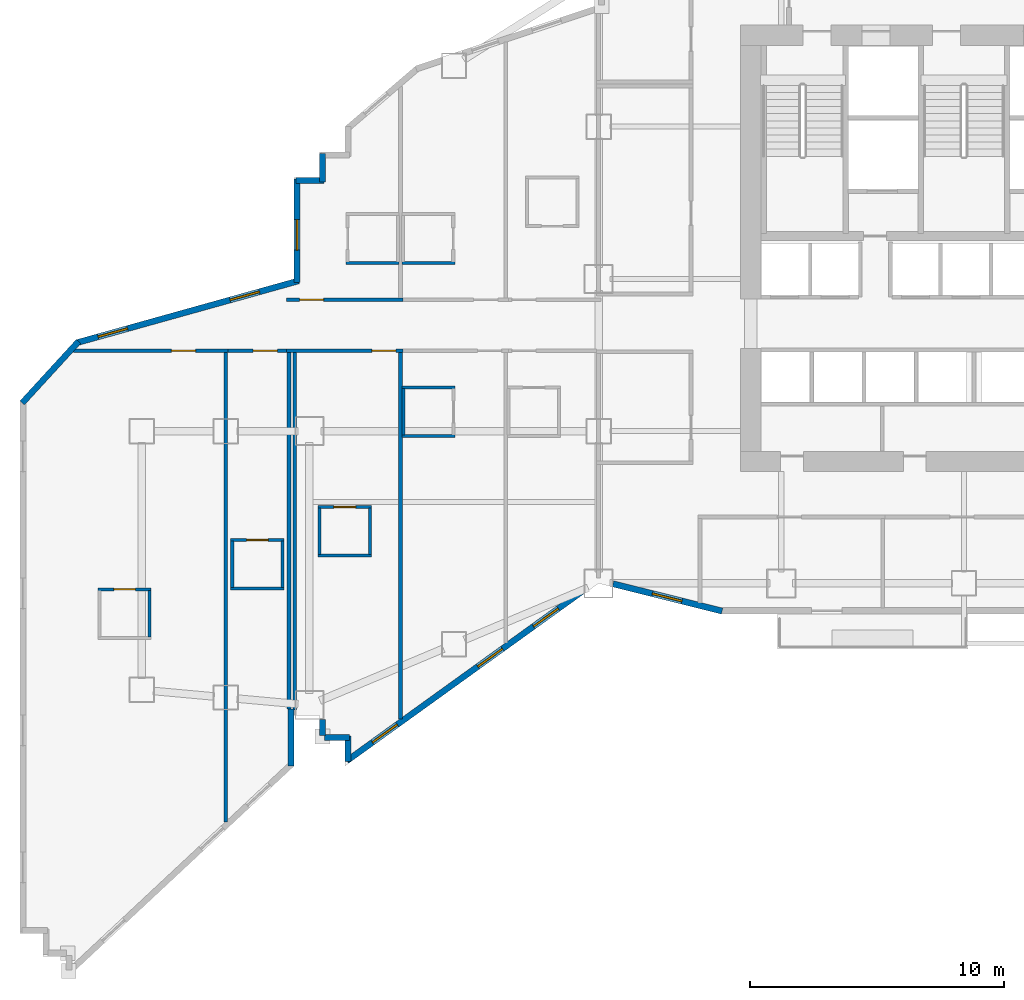
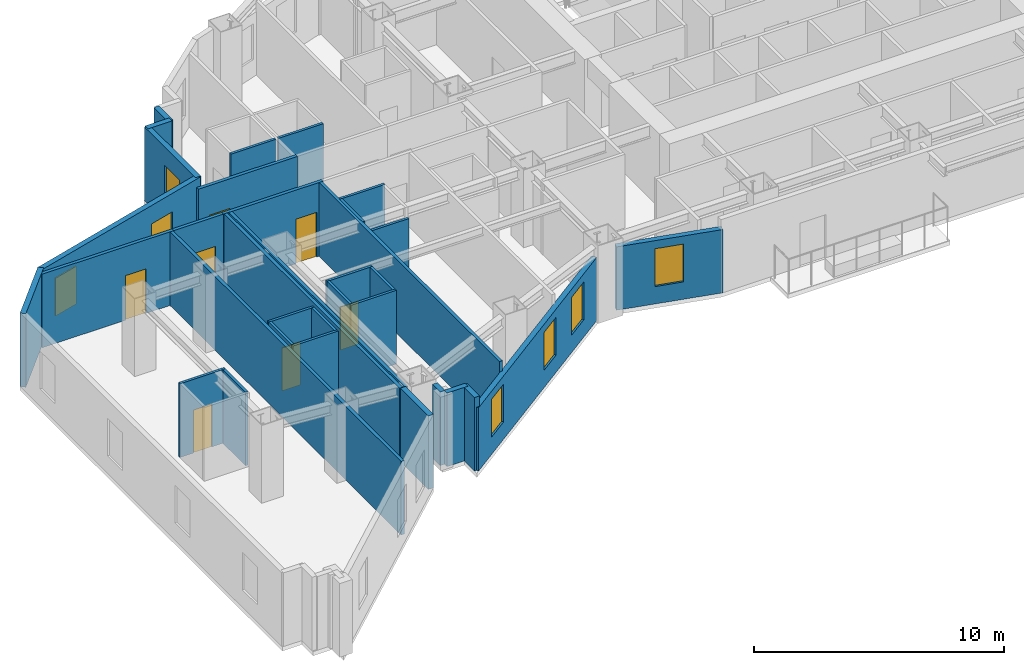
# One storey, part 7 of 16: 34 walls, 7 doors, 7 windows, 14 openings.
"""IFC4 building model written with IfcOpenShell, lengths in metres."""

from ifc_helpers import new_model, si_unit, direction, frame, frame_2d, origin, place, context, subcontext, project, spatial, rectangle, extrude, material, layer, layer_set, type_object, element, fill, save


model = new_model("IFC4")

# Units and contexts
model_context = context("Model", 3, precision=1e-05, world=origin(), true_north=direction((0.0, 1.0)))
body_context = subcontext(model_context, "Body", "Model", "MODEL_VIEW")
ifc_project = project(units=[si_unit("LENGTHUNIT", "METRE"), si_unit("AREAUNIT", "SQUARE_METRE"), si_unit("VOLUMEUNIT", "CUBIC_METRE"), si_unit("PLANEANGLEUNIT", "RADIAN"), si_unit("MASSUNIT", "GRAM", prefix="KILO")], contexts=[model_context])

# Site, building, storey
site_placement = place(None, origin())
site = spatial("IfcSite", under=ifc_project, at=site_placement, CompositionType="ELEMENT")
building_placement = place(site_placement, origin())
building = spatial("IfcBuilding", under=site, at=building_placement, Name="Haolan Belvedere Tower", CompositionType="ELEMENT")
storey_placement = place(building_placement, frame((0.0, 0.0, 78.0)))
storey = spatial("IfcBuildingStorey", under=building, at=storey_placement, Name="L19", CompositionType="ELEMENT", Elevation=78.0)

# Walls
ifc_material_1 = material(Name="Precast concrete C40/50", Category="concrete")
ifc_layer_1 = layer(ifc_material_1, 0.239990234375, Name="Precast concrete C40/50")
ifc_layer_set_1 = layer_set([ifc_layer_1], Name="Precast concrete C40/50")
wall_type_1 = type_object("IfcWallType", Name="WL-EXT-240", PredefinedType="SOLIDWALL", material=ifc_layer_set_1)
wall_1_placement = place(storey_placement, frame((11.8798828125, 14.397216796875, 0.0), z_axis=(0.0, 0.0, 1.0), x_axis=(0.0, 1.0, 0.0)))
element("IfcWall", 1, at=wall_1_placement, inside=storey, type_object=wall_type_1, Name="L19 pale-metal exterior spandrel wall 6.1", PredefinedType="SOLIDWALL", context=body_context, shape_type="SweptSolid", body=[
    extrude(rectangle(XDim=2.24267578125, YDim=0.239990234375, at=frame_2d((1.121337890625, 0.0))), origin(), (0.0, 0.0, 1.0), 3.60009765625),
])
wall_2_placement = place(storey_placement, frame((13.1201171875, 16.23291015625, 0.0), z_axis=(0.0, 0.0, 1.0), x_axis=(0.0, -1.0, 0.0)))
element("IfcWall", 2, at=wall_2_placement, inside=storey, type_object=wall_type_1, Name="L19 pale-metal exterior spandrel wall 8.1", PredefinedType="SOLIDWALL", context=body_context, shape_type="SweptSolid", body=[
    extrude(rectangle(XDim=0.6279296875, YDim=0.239990234375, at=frame_2d((0.31396484375, 0.0))), origin(), (0.0, 0.0, 1.0), 3.60009765625),
])
wall_3_placement = place(storey_placement, frame((13.205078125, 15.52001953125, 0.0), z_axis=(0.0, 0.0, 1.0), x_axis=(1.0, 0.0, 0.0)))
element("IfcWall", 3, at=wall_3_placement, inside=storey, type_object=wall_type_1, Name="L19 pale-metal exterior spandrel wall 9.1", PredefinedType="SOLIDWALL", context=body_context, shape_type="SweptSolid", body=[
    extrude(rectangle(XDim=0.969970703125, YDim=0.239990234375, at=frame_2d((0.48486328125, 0.0))), origin(), (0.0, 0.0, 1.0), 3.60009765625),
])
wall_4_placement = place(storey_placement, frame((14.1201171875, 15.574951171875, 0.0), z_axis=(0.0, 0.0, 1.0), x_axis=(0.0, -1.0, 0.0)))
element("IfcWall", 4, at=wall_4_placement, inside=storey, type_object=wall_type_1, Name="L19 pale-metal exterior spandrel wall 10.1", PredefinedType="SOLIDWALL", context=body_context, shape_type="SweptSolid", body=[
    extrude(rectangle(XDim=0.99560546875, YDim=0.239990234375, at=frame_2d((0.497802734375, 0.0))), origin(), (0.0, 0.0, 1.0), 3.60009765625),
])

# Wall, openings, windows
wall_5_placement = place(storey_placement, frame((14.075439453125, 14.602294921875, 0.0), z_axis=(0.0, 0.0, 1.0), x_axis=(0.811543176492, 0.58429245476, 0.0)))
wall_5 = element("IfcWall", 5, at=wall_5_placement, inside=storey, type_object=wall_type_1, Name="L19 pale-metal exterior spandrel wall 11.1", PredefinedType="SOLIDWALL", context=body_context, shape_type="SweptSolid", body=[
    extrude(rectangle(XDim=11.53076171875, YDim=0.239990234375, at=frame_2d((5.765380859375, 0.0))), origin(), (0.0, 0.0, 1.0), 3.096923828125),
])
opening_1_placement = place(wall_5_placement, frame((1.246337890625, 0.0, 0.85009765625)))
opening_1 = element("IfcOpeningElement", 6, at=opening_1_placement, cuts=wall_5, Name="Opening W-01", PredefinedType="OPENING", context=body_context, shape_type="SweptSolid", body=[
    extrude(rectangle(XDim=1.199951171875, YDim=1.85009765625, at=frame_2d((0.60009765625, 0.925048828125))), frame((0.0, 0.1298828125, 0.0), z_axis=(0.0, -1.0, 0.0), x_axis=(1.0, 0.0, 0.0)), (0.0, 0.0, 1.0), 0.260009765625),
])
opening_2_placement = place(wall_5_placement, frame((6.360107421875, 0.0, 0.85009765625)))
opening_2 = element("IfcOpeningElement", 7, at=opening_2_placement, cuts=wall_5, Name="Opening W-01", PredefinedType="OPENING", context=body_context, shape_type="SweptSolid", body=[
    extrude(rectangle(XDim=1.199951171875, YDim=1.85009765625, at=frame_2d((0.60009765625, 0.925048828125))), frame((0.0, 0.1298828125, 0.0), z_axis=(0.0, -1.0, 0.0), x_axis=(1.0, 0.0, 0.0)), (0.0, 0.0, 1.0), 0.260009765625),
])
opening_3_placement = place(wall_5_placement, frame((9.069580078125, 0.0, 0.85009765625)))
opening_3 = element("IfcOpeningElement", 8, at=opening_3_placement, cuts=wall_5, Name="Opening W-01", PredefinedType="OPENING", context=body_context, shape_type="SweptSolid", body=[
    extrude(rectangle(XDim=1.199951171875, YDim=1.85009765625, at=frame_2d((0.60009765625, 0.925048828125))), frame((0.0, 0.1298828125, 0.0), z_axis=(0.0, -1.0, 0.0), x_axis=(1.0, 0.0, 0.0)), (0.0, 0.0, 1.0), 0.260009765625),
])
ifc_material_2 = material(Name="Anodised aluminium 6063-T6 and Low-E glass", Category="aluminium")
window_type = type_object("IfcWindowType", Name="WN-DECO-Z1", PartitioningType="SINGLE_PANEL", PredefinedType="WINDOW", material=ifc_material_2)
window_1_placement = place(opening_1_placement, origin())
window_1 = element("IfcWindow", 9, at=window_1_placement, inside=storey, type_object=window_type, Name="L19 Art Deco chevron window 1", OverallHeight=1.85009765625, OverallWidth=1.199951171875, PartitioningType="SINGLE_PANEL", PredefinedType="WINDOW", context=body_context, shape_type="SweptSolid", body=[
    extrude(rectangle(XDim=1.199951171875, YDim=1.85009765625, at=frame_2d((0.60009765625, 0.925048828125))), frame((0.0, 0.030029296875, 0.0), z_axis=(0.0, -1.0, 0.0), x_axis=(1.0, 0.0, 0.0)), (0.0, 0.0, 1.0), 0.06005859375),
])
fill(opening_1, window_1)
window_2_placement = place(opening_2_placement, origin())
window_2 = element("IfcWindow", 10, at=window_2_placement, inside=storey, type_object=window_type, Name="L19 Art Deco chevron window 2", OverallHeight=1.85009765625, OverallWidth=1.199951171875, PartitioningType="SINGLE_PANEL", PredefinedType="WINDOW", context=body_context, shape_type="SweptSolid", body=[
    extrude(rectangle(XDim=1.199951171875, YDim=1.85009765625, at=frame_2d((0.60009765625, 0.925048828125))), frame((0.0, 0.030029296875, 0.0), z_axis=(0.0, -1.0, 0.0), x_axis=(1.0, 0.0, 0.0)), (0.0, 0.0, 1.0), 0.06005859375),
])
fill(opening_2, window_2)
window_3_placement = place(opening_3_placement, origin())
window_3 = element("IfcWindow", 11, at=window_3_placement, inside=storey, type_object=window_type, Name="L19 Art Deco guestroom window 2", OverallHeight=1.85009765625, OverallWidth=1.199951171875, PartitioningType="SINGLE_PANEL", PredefinedType="WINDOW", context=body_context, shape_type="SweptSolid", body=[
    extrude(rectangle(XDim=1.199951171875, YDim=1.85009765625, at=frame_2d((0.60009765625, 0.925048828125))), frame((0.0, 0.030029296875, 0.0), z_axis=(0.0, -1.0, 0.0), x_axis=(1.0, 0.0, 0.0)), (0.0, 0.0, 1.0), 0.06005859375),
])
fill(opening_3, window_3)

# Wall, opening, window
wall_6_placement = place(storey_placement, frame((24.56689453125, 21.581787109375, 0.0), z_axis=(0.0, 0.0, 1.0), x_axis=(0.970148978127, -0.24250971164, 0.0)))
wall_6 = element("IfcWall", 12, at=wall_6_placement, inside=storey, type_object=wall_type_1, Name="L19 pale-metal exterior spandrel wall 12.1", PredefinedType="SOLIDWALL", context=body_context, shape_type="SweptSolid", body=[
    extrude(rectangle(XDim=4.43359375, YDim=0.239990234375, at=frame_2d((2.216796875, 0.0))), origin(), (0.0, 0.0, 1.0), 3.096923828125),
])
opening_4_placement = place(wall_6_placement, frame((1.60009765625, 0.0, 0.85009765625)))
opening_4 = element("IfcOpeningElement", 13, at=opening_4_placement, cuts=wall_6, Name="Opening W-01", PredefinedType="OPENING", context=body_context, shape_type="SweptSolid", body=[
    extrude(rectangle(XDim=1.199951171875, YDim=1.85009765625, at=frame_2d((0.60009765625, 0.925048828125))), frame((0.0, 0.1298828125, 0.0), z_axis=(0.0, -1.0, 0.0), x_axis=(1.0, 0.0, 0.0)), (0.0, 0.0, 1.0), 0.260009765625),
])
window_4_placement = place(opening_4_placement, origin())
window_4 = element("IfcWindow", 14, at=window_4_placement, inside=storey, type_object=window_type, Name="L19 Art Deco chevron window 1", OverallHeight=1.85009765625, OverallWidth=1.199951171875, PartitioningType="SINGLE_PANEL", PredefinedType="WINDOW", context=body_context, shape_type="SweptSolid", body=[
    extrude(rectangle(XDim=1.199951171875, YDim=1.85009765625, at=frame_2d((0.60009765625, 0.925048828125))), frame((0.0, 0.030029296875, 0.0), z_axis=(0.0, -1.0, 0.0), x_axis=(1.0, 0.0, 0.0)), (0.0, 0.0, 1.0), 0.06005859375),
])
fill(opening_4, window_4)

# Walls
wall_7_placement = place(storey_placement, frame((13.1201171875, 38.534912109375, 0.0), z_axis=(0.0, 0.0, 1.0), x_axis=(0.0, -1.0, 0.0)))
element("IfcWall", 15, at=wall_7_placement, inside=storey, type_object=wall_type_1, Name="L19 pale-metal exterior spandrel wall 54.1", PredefinedType="SOLIDWALL", context=body_context, shape_type="SweptSolid", body=[
    extrude(rectangle(XDim=1.10986328125, YDim=0.239990234375, at=frame_2d((0.554931640625, 0.0))), origin(), (0.0, 0.0, 1.0), 3.60009765625),
])
wall_8_placement = place(storey_placement, frame((13.175048828125, 37.47998046875, 0.0), z_axis=(0.0, 0.0, 1.0), x_axis=(-1.0, 0.0, 0.0)))
element("IfcWall", 16, at=wall_8_placement, inside=storey, type_object=wall_type_1, Name="L19 pale-metal exterior spandrel wall 55.1", PredefinedType="SOLIDWALL", context=body_context, shape_type="SweptSolid", body=[
    extrude(rectangle(XDim=1.110107421875, YDim=0.239990234375, at=frame_2d((0.55517578125, 0.0))), origin(), (0.0, 0.0, 1.0), 3.60009765625),
])

# Wall, opening, window
wall_9_placement = place(storey_placement, frame((12.1201171875, 37.534912109375, 0.0), z_axis=(0.0, 0.0, 1.0), x_axis=(0.0, -1.0, 0.0)))
wall_9 = element("IfcWall", 17, at=wall_9_placement, inside=storey, type_object=wall_type_1, Name="L19 pale-metal exterior spandrel wall 56.1", PredefinedType="SOLIDWALL", context=body_context, shape_type="SweptSolid", body=[
    extrude(rectangle(XDim=4.0810546875, YDim=0.239990234375, at=frame_2d((2.04052734375, 0.0))), origin(), (0.0, 0.0, 1.0), 3.60009765625),
])
opening_5_placement = place(wall_9_placement, frame((1.60009765625, 0.0, 0.85009765625)))
opening_5 = element("IfcOpeningElement", 18, at=opening_5_placement, cuts=wall_9, Name="Opening W-01", PredefinedType="OPENING", context=body_context, shape_type="SweptSolid", body=[
    extrude(rectangle(XDim=1.199951171875, YDim=1.85009765625, at=frame_2d((0.60009765625, 0.925048828125))), frame((0.0, 0.1298828125, 0.0), z_axis=(0.0, -1.0, 0.0), x_axis=(1.0, 0.0, 0.0)), (0.0, 0.0, 1.0), 0.260009765625),
])
window_5_placement = place(opening_5_placement, origin())
window_5 = element("IfcWindow", 19, at=window_5_placement, inside=storey, type_object=window_type, Name="L19 Art Deco chevron window 1", OverallHeight=1.85009765625, OverallWidth=1.199951171875, PartitioningType="SINGLE_PANEL", PredefinedType="WINDOW", context=body_context, shape_type="SweptSolid", body=[
    extrude(rectangle(XDim=1.199951171875, YDim=1.85009765625, at=frame_2d((0.60009765625, 0.925048828125))), frame((0.0, 0.030029296875, 0.0), z_axis=(0.0, -1.0, 0.0), x_axis=(1.0, 0.0, 0.0)), (0.0, 0.0, 1.0), 0.06005859375),
])
fill(opening_5, window_5)

# Wall, openings, windows
wall_10_placement = place(storey_placement, frame((12.173095703125, 33.523681640625, 0.0), z_axis=(0.0, 0.0, 1.0), x_axis=(-0.963197271032, -0.268795493036, 0.0)))
wall_10 = element("IfcWall", 20, at=wall_10_placement, inside=storey, type_object=wall_type_1, Name="L19 pale-metal exterior spandrel wall 57.1", PredefinedType="SOLIDWALL", context=body_context, shape_type="SweptSolid", body=[
    extrude(rectangle(XDim=9.095458984375, YDim=0.239990234375, at=frame_2d((4.5478515625, 0.0))), origin(), (0.0, 0.0, 1.0), 3.60009765625),
])
opening_6_placement = place(wall_10_placement, frame((1.60009765625, 0.0, 0.85009765625)))
opening_6 = element("IfcOpeningElement", 21, at=opening_6_placement, cuts=wall_10, Name="Opening W-01", PredefinedType="OPENING", context=body_context, shape_type="SweptSolid", body=[
    extrude(rectangle(XDim=1.199951171875, YDim=1.85009765625, at=frame_2d((0.60009765625, 0.925048828125))), frame((0.0, 0.1298828125, 0.0), z_axis=(0.0, -1.0, 0.0), x_axis=(1.0, 0.0, 0.0)), (0.0, 0.0, 1.0), 0.260009765625),
])
opening_7_placement = place(wall_10_placement, frame((7.0, 0.0, 0.85009765625)))
opening_7 = element("IfcOpeningElement", 22, at=opening_7_placement, cuts=wall_10, Name="Opening W-01", PredefinedType="OPENING", context=body_context, shape_type="SweptSolid", body=[
    extrude(rectangle(XDim=1.199951171875, YDim=1.85009765625, at=frame_2d((0.60009765625, 0.925048828125))), frame((0.0, 0.1298828125, 0.0), z_axis=(0.0, -1.0, 0.0), x_axis=(1.0, 0.0, 0.0)), (0.0, 0.0, 1.0), 0.260009765625),
])
window_6_placement = place(opening_6_placement, origin())
window_6 = element("IfcWindow", 23, at=window_6_placement, inside=storey, type_object=window_type, Name="L19 Art Deco chevron window 1", OverallHeight=1.85009765625, OverallWidth=1.199951171875, PartitioningType="SINGLE_PANEL", PredefinedType="WINDOW", context=body_context, shape_type="SweptSolid", body=[
    extrude(rectangle(XDim=1.199951171875, YDim=1.85009765625, at=frame_2d((0.60009765625, 0.925048828125))), frame((0.0, 0.030029296875, 0.0), z_axis=(0.0, -1.0, 0.0), x_axis=(1.0, 0.0, 0.0)), (0.0, 0.0, 1.0), 0.06005859375),
])
fill(opening_6, window_6)
window_7_placement = place(opening_7_placement, origin())
window_7 = element("IfcWindow", 24, at=window_7_placement, inside=storey, type_object=window_type, Name="L19 Art Deco chevron window 2", OverallHeight=1.85009765625, OverallWidth=1.199951171875, PartitioningType="SINGLE_PANEL", PredefinedType="WINDOW", context=body_context, shape_type="SweptSolid", body=[
    extrude(rectangle(XDim=1.199951171875, YDim=1.85009765625, at=frame_2d((0.60009765625, 0.925048828125))), frame((0.0, 0.030029296875, 0.0), z_axis=(0.0, -1.0, 0.0), x_axis=(1.0, 0.0, 0.0)), (0.0, 0.0, 1.0), 0.06005859375),
])
fill(opening_7, window_7)

# Wall
wall_11_placement = place(storey_placement, frame((3.50244140625, 31.134033203125, 0.0), z_axis=(0.0, 0.0, 1.0), x_axis=(-0.675781844312, -0.737101688302, 0.0)))
element("IfcWall", 25, at=wall_11_placement, inside=storey, type_object=wall_type_1, Name="L19 pale-metal exterior spandrel wall 58.1", PredefinedType="SOLIDWALL", context=body_context, shape_type="SweptSolid", body=[
    extrude(rectangle(XDim=3.28466796875, YDim=0.239990234375, at=frame_2d((1.642333984375, 0.0))), origin(), (0.0, 0.0, 1.0), 3.60009765625),
])

# Wall, opening, door
ifc_material_3 = material(Name="Double gypsum acoustic stud partition", Category="masonry")
ifc_layer_2 = layer(ifc_material_3, 0.14990234375, Name="Double gypsum acoustic stud partition")
ifc_layer_set_2 = layer_set([ifc_layer_2], Name="Double gypsum acoustic stud partition")
wall_type_2 = type_object("IfcWallType", Name="WL-PART-150", PredefinedType="PARTITIONING", material=ifc_layer_set_2)
wall_12_placement = place(storey_placement, frame((11.699951171875, 32.780029296875, 0.0), z_axis=(0.0, 0.0, 1.0), x_axis=(1.0, 0.0, 0.0)))
wall_12 = element("IfcWall", 26, at=wall_12_placement, inside=storey, type_object=wall_type_2, Name="L19 interior partition IW-L19-T2N1-S", PredefinedType="PARTITIONING", context=body_context, shape_type="SweptSolid", body=[
    extrude(rectangle(XDim=4.590087890625, YDim=0.14990234375, at=frame_2d((2.294921875, 0.0))), origin(), (0.0, 0.0, 1.0), 3.60009765625),
])
opening_8_placement = place(wall_12_placement, frame((0.515625, 0.0, 0.0)))
opening_8 = element("IfcOpeningElement", 27, at=opening_8_placement, cuts=wall_12, Name="Opening ID-02", PredefinedType="OPENING", context=body_context, shape_type="SweptSolid", body=[
    extrude(rectangle(XDim=0.949951171875, YDim=2.14990234375, at=frame_2d((0.47509765625, 1.074951171875))), frame((0.0, 0.0849609375, 0.0), z_axis=(0.0, -1.0, 0.0), x_axis=(1.0, 0.0, 0.0)), (0.0, 0.0, 1.0), 0.169921875),
])
ifc_material_4 = material(Name="Acoustic oak veneer fire-rated timber", Category="wood")
door_type_1 = type_object("IfcDoorType", Name="DR-GUEST-950", OperationType="NOTDEFINED", PredefinedType="DOOR", material=ifc_material_4)
door_1_placement = place(opening_8_placement, origin())
door_1 = element("IfcDoor", 28, at=door_1_placement, inside=storey, type_object=door_type_1, Name="L19 door ID-L19-T2N1-ENT", OperationType="SINGLE_SWING_LEFT", OverallHeight=2.14990234375, OverallWidth=0.949951171875, PredefinedType="DOOR", context=body_context, shape_type="SweptSolid", body=[
    extrude(rectangle(XDim=0.949951171875, YDim=2.14990234375, at=frame_2d((0.47509765625, 1.074951171875))), frame((0.0, 0.02490234375, 0.0), z_axis=(0.0, -1.0, 0.0), x_axis=(1.0, 0.0, 0.0)), (0.0, 0.0, 1.0), 0.050048828125),
])
fill(opening_8, door_1)

wall_13_placement = place(storey_placement, frame((11.699951171875, 30.77001953125, 0.0), z_axis=(0.0, 0.0, 1.0), x_axis=(1.0, 0.0, 0.0)))
wall_13 = element("IfcWall", 29, at=wall_13_placement, inside=storey, type_object=wall_type_2, Name="L19 interior partition IW-L19-T2S1-N", PredefinedType="PARTITIONING", context=body_context, shape_type="SweptSolid", body=[
    extrude(rectangle(XDim=4.590087890625, YDim=0.14990234375, at=frame_2d((2.294921875, 0.0))), origin(), (0.0, 0.0, 1.0), 3.60009765625),
])
opening_9_placement = place(wall_13_placement, frame((4.311279296875, 0.0, 0.0), z_axis=(0.0, 0.0, 1.0), x_axis=(-1.0, 0.0, 0.0)))
opening_9 = element("IfcOpeningElement", 30, at=opening_9_placement, cuts=wall_13, Name="Opening ID-01", PredefinedType="OPENING", context=body_context, shape_type="SweptSolid", body=[
    extrude(rectangle(XDim=0.949951171875, YDim=2.179931640625, at=frame_2d((0.47509765625, 1.08984375))), frame((0.0, 0.0849609375, 0.0), z_axis=(0.0, -1.0, 0.0), x_axis=(1.0, 0.0, 0.0)), (0.0, 0.0, 1.0), 0.169921875),
])
ifc_material_5 = material(Name="Acoustic walnut veneer fire-rated timber", Category="wood")
door_type_2 = type_object("IfcDoorType", Name="DR-SUITE-950", OperationType="NOTDEFINED", PredefinedType="DOOR", material=ifc_material_5)
door_2_placement = place(opening_9_placement, origin())
door_2 = element("IfcDoor", 31, at=door_2_placement, inside=storey, type_object=door_type_2, Name="L19 door ID-L19-T2S1-ENT", OperationType="SINGLE_SWING_RIGHT", OverallHeight=2.179931640625, OverallWidth=0.949951171875, PredefinedType="DOOR", context=body_context, shape_type="SweptSolid", body=[
    extrude(rectangle(XDim=0.949951171875, YDim=2.179931640625, at=frame_2d((0.47509765625, 1.08984375))), frame((0.0, 0.02490234375, 0.0), z_axis=(0.0, -1.0, 0.0), x_axis=(1.0, 0.0, 0.0)), (0.0, 0.0, 1.0), 0.050048828125),
])
fill(opening_9, door_2)

# Walls
wall_14_placement = place(storey_placement, frame((11.800048828125, 16.64208984375, 0.0), z_axis=(0.0, 0.0, 1.0), x_axis=(0.0, 1.0, 0.0)))
element("IfcWall", 32, at=wall_14_placement, inside=storey, type_object=wall_type_2, Name="L19 interior partition IW-L19-T2S1-W", PredefinedType="PARTITIONING", context=body_context, shape_type="SweptSolid", body=[
    extrude(rectangle(XDim=14.06787109375, YDim=0.14990234375, at=frame_2d((7.033935546875, 0.0))), origin(), (0.0, 0.0, 1.0), 3.60009765625),
])
wall_15_placement = place(storey_placement, frame((16.18994140625, 16.254150390625, 0.0), z_axis=(0.0, 0.0, 1.0), x_axis=(0.0, 1.0, 0.0)))
element("IfcWall", 33, at=wall_15_placement, inside=storey, type_object=wall_type_2, Name="L19 interior partition IW-L19-T2S1-E", PredefinedType="PARTITIONING", context=body_context, shape_type="SweptSolid", body=[
    extrude(rectangle(XDim=14.455810546875, YDim=0.14990234375, at=frame_2d((7.22802734375, 0.0))), origin(), (0.0, 0.0, 1.0), 3.60009765625),
])

# Wall, opening, door
wall_16_placement = place(storey_placement, frame((3.311279296875, 30.77001953125, 0.0), z_axis=(0.0, 0.0, 1.0), x_axis=(1.0, 0.0, 0.0)))
wall_16 = element("IfcWall", 34, at=wall_16_placement, inside=storey, type_object=wall_type_2, Name="L19 interior partition IW-L19-T1S1-N", PredefinedType="PARTITIONING", context=body_context, shape_type="SweptSolid", body=[
    extrude(rectangle(XDim=6.088623046875, YDim=0.14990234375, at=frame_2d((3.04443359375, 0.0))), origin(), (0.0, 0.0, 1.0), 3.60009765625),
])
opening_10_placement = place(wall_16_placement, frame((4.800537109375, 0.0, 0.0), z_axis=(0.0, 0.0, 1.0), x_axis=(-1.0, 0.0, 0.0)))
opening_10 = element("IfcOpeningElement", 35, at=opening_10_placement, cuts=wall_16, Name="Opening ID-01", PredefinedType="OPENING", context=body_context, shape_type="SweptSolid", body=[
    extrude(rectangle(XDim=0.949951171875, YDim=2.179931640625, at=frame_2d((0.47509765625, 1.08984375))), frame((0.0, 0.0849609375, 0.0), z_axis=(0.0, -1.0, 0.0), x_axis=(1.0, 0.0, 0.0)), (0.0, 0.0, 1.0), 0.169921875),
])
door_3_placement = place(opening_10_placement, origin())
door_3 = element("IfcDoor", 36, at=door_3_placement, inside=storey, type_object=door_type_2, Name="L19 door ID-L19-T1S1-ENT", OperationType="SINGLE_SWING_LEFT", OverallHeight=2.179931640625, OverallWidth=0.949951171875, PredefinedType="DOOR", context=body_context, shape_type="SweptSolid", body=[
    extrude(rectangle(XDim=0.949951171875, YDim=2.179931640625, at=frame_2d((0.47509765625, 1.08984375))), frame((0.0, 0.02490234375, 0.0), z_axis=(0.0, -1.0, 0.0), x_axis=(1.0, 0.0, 0.0)), (0.0, 0.0, 1.0), 0.050048828125),
])
fill(opening_10, door_3)

# Wall
wall_17_placement = place(storey_placement, frame((9.300048828125, 12.187744140625, 0.0), z_axis=(0.0, 0.0, 1.0), x_axis=(0.0, 1.0, 0.0)))
element("IfcWall", 37, at=wall_17_placement, inside=storey, type_object=wall_type_2, Name="L19 interior partition IW-L19-T1S1-E", PredefinedType="PARTITIONING", context=body_context, shape_type="SweptSolid", body=[
    extrude(rectangle(XDim=18.522216796875, YDim=0.14990234375, at=frame_2d((9.26123046875, 0.0))), origin(), (0.0, 0.0, 1.0), 3.60009765625),
])

# Wall, opening, door
wall_18_placement = place(storey_placement, frame((9.402099609375, 30.77001953125, 0.0), z_axis=(0.0, 0.0, 1.0), x_axis=(1.0, 0.0, 0.0)))
wall_18 = element("IfcWall", 38, at=wall_18_placement, inside=storey, type_object=wall_type_2, Name="L19 interior partition IW-L19-T1S2-N", PredefinedType="PARTITIONING", context=body_context, shape_type="SweptSolid", body=[
    extrude(rectangle(XDim=2.2958984375, YDim=0.14990234375, at=frame_2d((1.14794921875, 0.0))), origin(), (0.0, 0.0, 1.0), 3.60009765625),
])
opening_11_placement = place(wall_18_placement, frame((1.93408203125, 0.0, 0.0), z_axis=(0.0, 0.0, 1.0), x_axis=(-1.0, 0.0, 0.0)))
opening_11 = element("IfcOpeningElement", 39, at=opening_11_placement, cuts=wall_18, Name="Opening ID-02", PredefinedType="OPENING", context=body_context, shape_type="SweptSolid", body=[
    extrude(rectangle(XDim=0.949951171875, YDim=2.14990234375, at=frame_2d((0.47509765625, 1.074951171875))), frame((0.0, 0.0849609375, 0.0), z_axis=(0.0, -1.0, 0.0), x_axis=(1.0, 0.0, 0.0)), (0.0, 0.0, 1.0), 0.169921875),
])
door_4_placement = place(opening_11_placement, origin())
door_4 = element("IfcDoor", 40, at=door_4_placement, inside=storey, type_object=door_type_1, Name="L19 door ID-L19-T1S2-ENT", OperationType="SINGLE_SWING_RIGHT", OverallHeight=2.14990234375, OverallWidth=0.949951171875, PredefinedType="DOOR", context=body_context, shape_type="SweptSolid", body=[
    extrude(rectangle(XDim=0.949951171875, YDim=2.14990234375, at=frame_2d((0.47509765625, 1.074951171875))), frame((0.0, 0.02490234375, 0.0), z_axis=(0.0, -1.0, 0.0), x_axis=(1.0, 0.0, 0.0)), (0.0, 0.0, 1.0), 0.050048828125),
])
fill(opening_11, door_4)

# Walls
wall_19_placement = place(storey_placement, frame((12.02001953125, 16.612060546875, 0.0), z_axis=(0.0, 0.0, 1.0), x_axis=(0.0, 1.0, 0.0)))
element("IfcWall", 41, at=wall_19_placement, inside=storey, type_object=wall_type_2, Name="L19 interior partition IW-L19-T1S2-E", PredefinedType="PARTITIONING", context=body_context, shape_type="SweptSolid", body=[
    extrude(rectangle(XDim=14.097900390625, YDim=0.14990234375, at=frame_2d((7.048828125, 0.0))), origin(), (0.0, 0.0, 1.0), 3.60009765625),
])
ifc_material_6 = material(Name="Moisture-resistant gypsum tile partition", Category="masonry")
ifc_layer_3 = layer(ifc_material_6, 0.1201171875, Name="Moisture-resistant gypsum tile partition")
ifc_layer_set_3 = layer_set([ifc_layer_3], Name="Moisture-resistant gypsum tile partition")
wall_type_3 = type_object("IfcWallType", Name="WL-WET-120", PredefinedType="PARTITIONING", material=ifc_layer_set_3)
wall_20_placement = place(storey_placement, frame((14.050048828125, 34.22998046875, 0.0), z_axis=(0.0, 0.0, 1.0), x_axis=(1.0, 0.0, 0.0)))
element("IfcWall", 42, at=wall_20_placement, inside=storey, type_object=wall_type_3, Name="L19 interior partition IW-L19-T2N1-BS", PredefinedType="PARTITIONING", context=body_context, shape_type="SweptSolid", body=[
    extrude(rectangle(XDim=2.079833984375, YDim=0.1201171875, at=frame_2d((1.0400390625, 0.0))), origin(), (0.0, 0.0, 1.0), 3.60009765625),
])
wall_21_placement = place(storey_placement, frame((16.25, 34.22998046875, 0.0), z_axis=(0.0, 0.0, 1.0), x_axis=(1.0, 0.0, 0.0)))
element("IfcWall", 43, at=wall_21_placement, inside=storey, type_object=wall_type_3, Name="L19 interior partition IW-L19-T2N2-BS", PredefinedType="PARTITIONING", context=body_context, shape_type="SweptSolid", body=[
    extrude(rectangle(XDim=2.080078125, YDim=0.1201171875, at=frame_2d((1.0400390625, 0.0))), origin(), (0.0, 0.0, 1.0), 3.60009765625),
])

# Wall, opening, door
wall_22_placement = place(storey_placement, frame((12.945068359375, 24.610107421875, 0.0), z_axis=(0.0, 0.0, 1.0), x_axis=(1.0, 0.0, 0.0)))
wall_22 = element("IfcWall", 44, at=wall_22_placement, inside=storey, type_object=wall_type_3, Name="L19 interior partition IW-L19-T2S1-BN", PredefinedType="PARTITIONING", context=body_context, shape_type="SweptSolid", body=[
    extrude(rectangle(XDim=2.099853515625, YDim=0.1201171875, at=frame_2d((1.0498046875, 0.0))), origin(), (0.0, 0.0, 1.0), 3.60009765625),
])
opening_12_placement = place(wall_22_placement, frame((1.47509765625, 0.0, 0.0), z_axis=(0.0, 0.0, 1.0), x_axis=(-1.0, 0.0, 0.0)))
opening_12 = element("IfcOpeningElement", 45, at=opening_12_placement, cuts=wall_22, Name="Opening ID-05", PredefinedType="OPENING", context=body_context, shape_type="SweptSolid", body=[
    extrude(rectangle(XDim=0.85009765625, YDim=2.10009765625, at=frame_2d((0.425048828125, 1.050048828125))), frame((0.0, 0.070068359375, 0.0), z_axis=(0.0, -1.0, 0.0), x_axis=(1.0, 0.0, 0.0)), (0.0, 0.0, 1.0), 0.14013671875),
])
ifc_material_7 = material(Name="Moisture-resistant lacquered timber", Category="wood")
door_type_3 = type_object("IfcDoorType", Name="DR-BATH-850", OperationType="NOTDEFINED", PredefinedType="DOOR", material=ifc_material_7)
door_5_placement = place(opening_12_placement, origin())
door_5 = element("IfcDoor", 46, at=door_5_placement, inside=storey, type_object=door_type_3, Name="L19 door ID-L19-T2S1-BATH", OperationType="SINGLE_SWING_LEFT", OverallHeight=2.10009765625, OverallWidth=0.85009765625, PredefinedType="DOOR", context=body_context, shape_type="SweptSolid", body=[
    extrude(rectangle(XDim=0.85009765625, YDim=2.10009765625, at=frame_2d((0.425048828125, 1.050048828125))), frame((0.0, 0.02490234375, 0.0), z_axis=(0.0, -1.0, 0.0), x_axis=(1.0, 0.0, 0.0)), (0.0, 0.0, 1.0), 0.050048828125),
])
fill(opening_12, door_5)

# Walls
wall_23_placement = place(storey_placement, frame((12.945068359375, 22.68994140625, 0.0), z_axis=(0.0, 0.0, 1.0), x_axis=(1.0, 0.0, 0.0)))
element("IfcWall", 47, at=wall_23_placement, inside=storey, type_object=wall_type_3, Name="L19 interior partition IW-L19-T2S1-BS", PredefinedType="PARTITIONING", context=body_context, shape_type="SweptSolid", body=[
    extrude(rectangle(XDim=2.099853515625, YDim=0.1201171875, at=frame_2d((1.0498046875, 0.0))), origin(), (0.0, 0.0, 1.0), 3.60009765625),
])
for number, where, z_axis, x_axis, name in (
    (48, (13.0048828125, 22.735107421875, 0.0), (0.0, 0.0, 1.0), (0.0, 1.0, 0.0), "L19 interior partition IW-L19-T2S1-BW"),
    (49, (14.985107421875, 22.735107421875, 0.0), (0.0, 0.0, 1.0), (0.0, 1.0, 0.0), "L19 interior partition IW-L19-T2S1-BE"),
):
    element("IfcWall", number, at=place(storey_placement, frame(where, z_axis=z_axis, x_axis=x_axis)), inside=storey, type_object=wall_type_3, Name=name, PredefinedType="PARTITIONING", context=body_context, shape_type="SweptSolid", body=[
        extrude(rectangle(XDim=1.829833984375, YDim=0.1201171875, at=frame_2d((0.9150390625, 0.0))), origin(), (0.0, 0.0, 1.0), 3.60009765625),
    ])
wall_24_placement = place(storey_placement, frame((16.25, 29.320068359375, 0.0), z_axis=(0.0, 0.0, 1.0), x_axis=(1.0, 0.0, 0.0)))
element("IfcWall", 50, at=wall_24_placement, inside=storey, type_object=wall_type_3, Name="L19 interior partition IW-L19-T2S2-BN", PredefinedType="PARTITIONING", context=body_context, shape_type="SweptSolid", body=[
    extrude(rectangle(XDim=2.094970703125, YDim=0.1201171875, at=frame_2d((1.04736328125, 0.0))), origin(), (0.0, 0.0, 1.0), 3.60009765625),
])
wall_25_placement = place(storey_placement, frame((16.25, 27.39990234375, 0.0), z_axis=(0.0, 0.0, 1.0), x_axis=(1.0, 0.0, 0.0)))
element("IfcWall", 51, at=wall_25_placement, inside=storey, type_object=wall_type_3, Name="L19 interior partition IW-L19-T2S2-BS", PredefinedType="PARTITIONING", context=body_context, shape_type="SweptSolid", body=[
    extrude(rectangle(XDim=2.094970703125, YDim=0.1201171875, at=frame_2d((1.04736328125, 0.0))), origin(), (0.0, 0.0, 1.0), 3.096923828125),
])
wall_26_placement = place(storey_placement, frame((16.304931640625, 27.445068359375, 0.0), z_axis=(0.0, 0.0, 1.0), x_axis=(0.0, 1.0, 0.0)))
element("IfcWall", 52, at=wall_26_placement, inside=storey, type_object=wall_type_3, Name="L19 interior partition IW-L19-T2S2-BW", PredefinedType="PARTITIONING", context=body_context, shape_type="SweptSolid", body=[
    extrude(rectangle(XDim=1.829833984375, YDim=0.1201171875, at=frame_2d((0.9150390625, 0.0))), origin(), (0.0, 0.0, 1.0), 3.60009765625),
])

# Wall, opening, door
wall_27_placement = place(storey_placement, frame((4.264892578125, 21.364013671875, 0.0), z_axis=(0.0, 0.0, 1.0), x_axis=(1.0, 0.0, 0.0)))
wall_27 = element("IfcWall", 53, at=wall_27_placement, inside=storey, type_object=wall_type_3, Name="L19 interior partition IW-L19-T1S1-BN", PredefinedType="PARTITIONING", context=body_context, shape_type="SweptSolid", body=[
    extrude(rectangle(XDim=2.10009765625, YDim=0.1201171875, at=frame_2d((1.050048828125, 0.0))), origin(), (0.0, 0.0, 1.0), 3.60009765625),
])
opening_13_placement = place(wall_27_placement, frame((1.47509765625, 0.0, 0.0), z_axis=(0.0, 0.0, 1.0), x_axis=(-1.0, 0.0, 0.0)))
opening_13 = element("IfcOpeningElement", 54, at=opening_13_placement, cuts=wall_27, Name="Opening ID-05", PredefinedType="OPENING", context=body_context, shape_type="SweptSolid", body=[
    extrude(rectangle(XDim=0.85009765625, YDim=2.10009765625, at=frame_2d((0.425048828125, 1.050048828125))), frame((0.0, 0.070068359375, 0.0), z_axis=(0.0, -1.0, 0.0), x_axis=(1.0, 0.0, 0.0)), (0.0, 0.0, 1.0), 0.14013671875),
])
door_6_placement = place(opening_13_placement, origin())
door_6 = element("IfcDoor", 55, at=door_6_placement, inside=storey, type_object=door_type_3, Name="L19 door ID-L19-T1S1-BATH", OperationType="SINGLE_SWING_RIGHT", OverallHeight=2.10009765625, OverallWidth=0.85009765625, PredefinedType="DOOR", context=body_context, shape_type="SweptSolid", body=[
    extrude(rectangle(XDim=0.85009765625, YDim=2.10009765625, at=frame_2d((0.425048828125, 1.050048828125))), frame((0.0, 0.02490234375, 0.0), z_axis=(0.0, -1.0, 0.0), x_axis=(1.0, 0.0, 0.0)), (0.0, 0.0, 1.0), 0.050048828125),
])
fill(opening_13, door_6)

# Wall
wall_28_placement = place(storey_placement, frame((6.304931640625, 19.489013671875, 0.0), z_axis=(0.0, 0.0, 1.0), x_axis=(0.0, 1.0, 0.0)))
element("IfcWall", 56, at=wall_28_placement, inside=storey, type_object=wall_type_3, Name="L19 interior partition IW-L19-T1S1-BE", PredefinedType="PARTITIONING", context=body_context, shape_type="SweptSolid", body=[
    extrude(rectangle(XDim=1.830078125, YDim=0.1201171875, at=frame_2d((0.9150390625, 0.0))), origin(), (0.0, 0.0, 1.0), 3.60009765625),
])

# Wall, opening, door
wall_29_placement = place(storey_placement, frame((9.5, 23.31005859375, 0.0), z_axis=(0.0, 0.0, 1.0), x_axis=(1.0, 0.0, 0.0)))
wall_29 = element("IfcWall", 57, at=wall_29_placement, inside=storey, type_object=wall_type_3, Name="L19 interior partition IW-L19-T1S2-BN", PredefinedType="PARTITIONING", context=body_context, shape_type="SweptSolid", body=[
    extrude(rectangle(XDim=2.10009765625, YDim=0.1201171875, at=frame_2d((1.050048828125, 0.0))), origin(), (0.0, 0.0, 1.0), 3.60009765625),
])
opening_14_placement = place(wall_29_placement, frame((1.47509765625, 0.0, 0.0), z_axis=(0.0, 0.0, 1.0), x_axis=(-1.0, 0.0, 0.0)))
opening_14 = element("IfcOpeningElement", 58, at=opening_14_placement, cuts=wall_29, Name="Opening ID-05", PredefinedType="OPENING", context=body_context, shape_type="SweptSolid", body=[
    extrude(rectangle(XDim=0.85009765625, YDim=2.10009765625, at=frame_2d((0.425048828125, 1.050048828125))), frame((0.0, 0.070068359375, 0.0), z_axis=(0.0, -1.0, 0.0), x_axis=(1.0, 0.0, 0.0)), (0.0, 0.0, 1.0), 0.14013671875),
])
door_7_placement = place(opening_14_placement, origin())
door_7 = element("IfcDoor", 59, at=door_7_placement, inside=storey, type_object=door_type_3, Name="L19 door ID-L19-T1S2-BATH", OperationType="SINGLE_SWING_LEFT", OverallHeight=2.10009765625, OverallWidth=0.85009765625, PredefinedType="DOOR", context=body_context, shape_type="SweptSolid", body=[
    extrude(rectangle(XDim=0.85009765625, YDim=2.10009765625, at=frame_2d((0.425048828125, 1.050048828125))), frame((0.0, 0.02490234375, 0.0), z_axis=(0.0, -1.0, 0.0), x_axis=(1.0, 0.0, 0.0)), (0.0, 0.0, 1.0), 0.050048828125),
])
fill(opening_14, door_7)

# Walls
wall_30_placement = place(storey_placement, frame((9.5, 21.389892578125, 0.0), z_axis=(0.0, 0.0, 1.0), x_axis=(1.0, 0.0, 0.0)))
element("IfcWall", 60, at=wall_30_placement, inside=storey, type_object=wall_type_3, Name="L19 interior partition IW-L19-T1S2-BS", PredefinedType="PARTITIONING", context=body_context, shape_type="SweptSolid", body=[
    extrude(rectangle(XDim=2.10009765625, YDim=0.1201171875, at=frame_2d((1.050048828125, 0.0))), origin(), (0.0, 0.0, 1.0), 3.60009765625),
])
for number, where, z_axis, x_axis, name in (
    (61, (9.56005859375, 21.43505859375, 0.0), (0.0, 0.0, 1.0), (0.0, 1.0, 0.0), "L19 interior partition IW-L19-T1S2-BW"),
    (62, (11.5400390625, 21.43505859375, 0.0), (0.0, 0.0, 1.0), (0.0, 1.0, 0.0), "L19 interior partition IW-L19-T1S2-BE"),
):
    element("IfcWall", number, at=place(storey_placement, frame(where, z_axis=z_axis, x_axis=x_axis)), inside=storey, type_object=wall_type_3, Name=name, PredefinedType="PARTITIONING", context=body_context, shape_type="SweptSolid", body=[
        extrude(rectangle(XDim=1.829833984375, YDim=0.1201171875, at=frame_2d((0.9150390625, 0.0))), origin(), (0.0, 0.0, 1.0), 3.60009765625),
    ])

save(model, "model.ifc")
